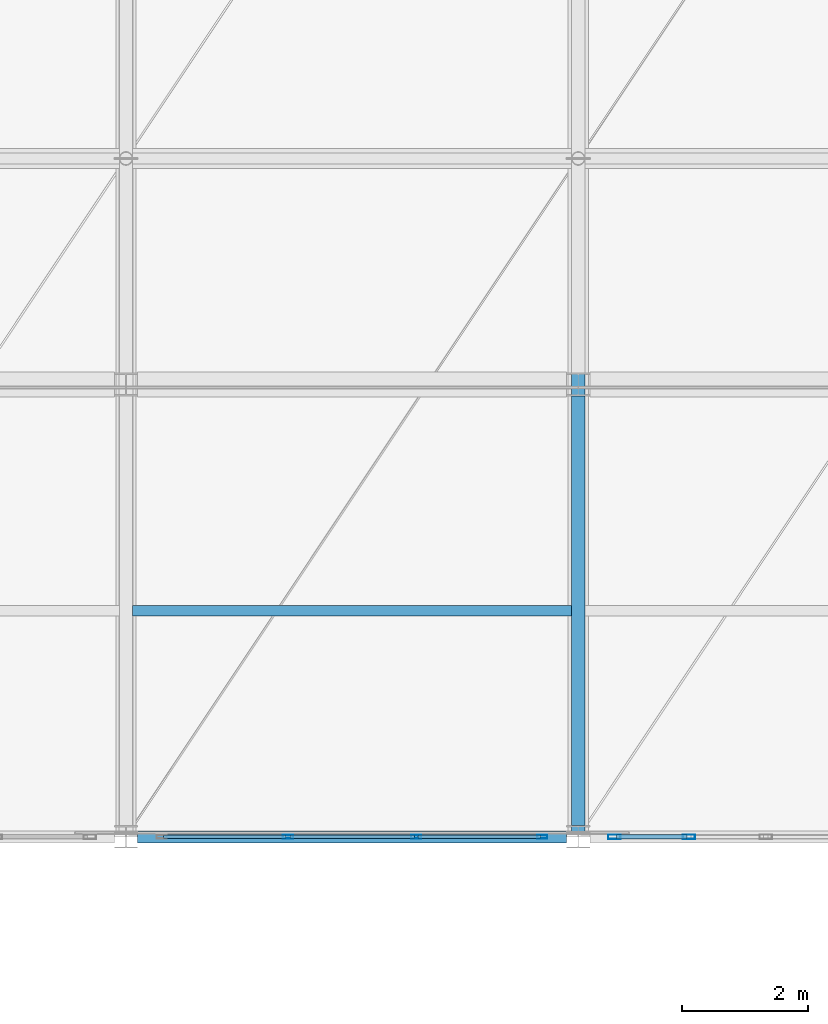
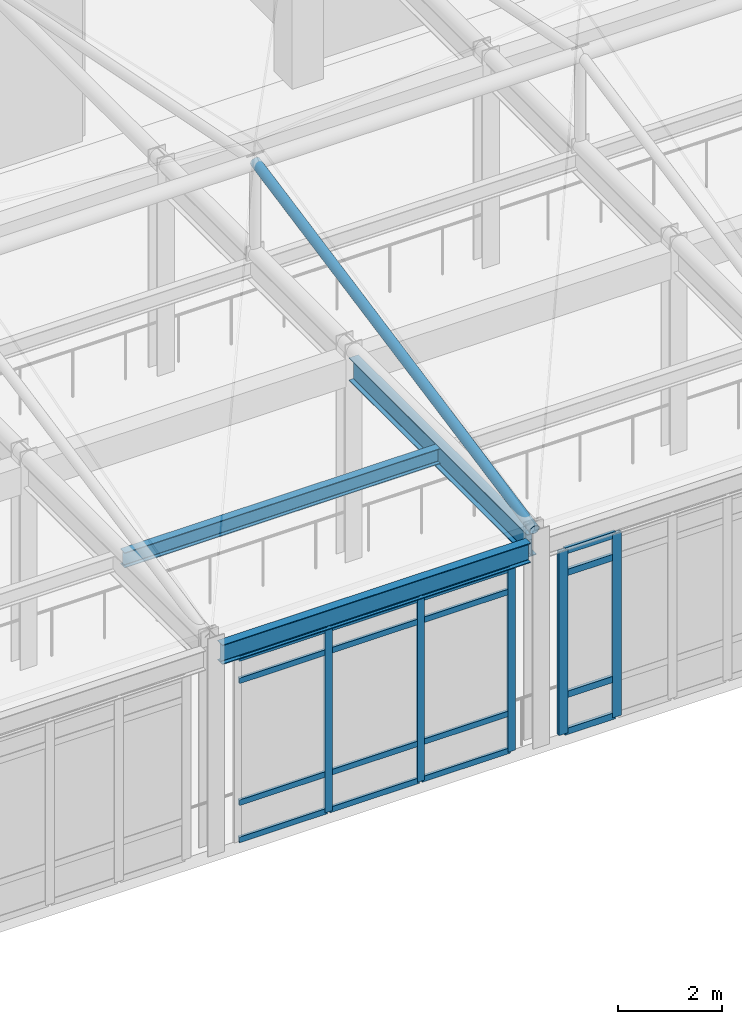
# One storey, part 39 of 117: 22 members, 3 beams, 2 elements without a shape of their own.
"""IFC4 building model written with IfcOpenShell, lengths in metres."""

from ifc_helpers import new_model, si_unit, direction, frame, origin, origin_2d, place, context, subcontext, project, spatial, hollow_rectangle, hollow_circle, i_section, extrude, material, layer, layer_set, material_profile, profile_set, type_object, element, aggregate, save


model = new_model("IFC4")

# Units and contexts
model_context = context("Model", 3, precision=1e-05, world=origin(), true_north=direction((0.0, 1.0)))
body_context = subcontext(model_context, "Body", "Model", "MODEL_VIEW")
ifc_project = project(units=[si_unit("LENGTHUNIT", "METRE"), si_unit("AREAUNIT", "SQUARE_METRE"), si_unit("VOLUMEUNIT", "CUBIC_METRE"), si_unit("PLANEANGLEUNIT", "RADIAN"), si_unit("MASSUNIT", "GRAM", prefix="KILO")], contexts=[model_context])

# Site, building, storey
site_placement = place(None, origin())
site = spatial("IfcSite", under=ifc_project, at=site_placement, CompositionType="ELEMENT")
building_placement = place(site_placement, origin())
building = spatial("IfcBuilding", under=site, at=building_placement, Name="Carrowvane Square Congress Hotel", CompositionType="ELEMENT")
storey_placement = place(building_placement, frame((0.0, 0.0, 5.39990234375)))
storey = spatial("IfcBuildingStorey", under=building, at=storey_placement, Name="L01", CompositionType="ELEMENT", Elevation=5.39990234375)

# Beams
ifc_material_1 = material(Name="Steel S355", Category="steel")
ifc_material_profile_1 = material_profile(ifc_material_1, i_section(OverallWidth=0.172119140625, OverallDepth=0.35791015625, WebThickness=0.008056640625, FlangeThickness=0.012939453125, FilletRadius=0.01025390625, at=origin_2d()), Name="UKB 356x171x57")
ifc_profile_set_1 = profile_set([ifc_material_profile_1], Name="Steel S355")
beam_type_1 = type_object("IfcBeamType", Name="BM-ST-UKB356", PredefinedType="JOIST", material=ifc_profile_set_1)
beam_1_placement = place(storey_placement, frame((98.10498046875, 73.800048828125, 4.60107421875), z_axis=(1.0, 0.0, 0.0), x_axis=(0.0, 1.0, 0.0)))
element("IfcBeam", 1, at=beam_1_placement, inside=storey, type_object=beam_type_1, Name="L02 secondary joist 13-14", PredefinedType="JOIST", context=body_context, shape_type="SweptSolid", body=[
    extrude(i_section(OverallWidth=0.172119140625, OverallDepth=0.35791015625, WebThickness=0.008056640625, FlangeThickness=0.012939453125, FilletRadius=0.01025390625, at=origin_2d()), origin(), (0.0, 0.0, 1.0), 6.989990234375),
])
ifc_material_2 = material(Name="Steel S355", Category="steel")
ifc_material_profile_2 = material_profile(ifc_material_2, i_section(OverallWidth=0.19140625, OverallDepth=0.4599609375, WebThickness=0.010009765625, FlangeThickness=0.01611328125, FilletRadius=0.01025390625, at=origin_2d()), Name="UKB 457x191x82")
ifc_profile_set_2 = profile_set([ifc_material_profile_2], Name="Steel S355")
beam_type_2 = type_object("IfcBeamType", Name="BM-ST-UKB457", PredefinedType="SPANDREL", material=ifc_profile_set_2)
beam_2_placement = place(storey_placement, frame((98.185302734375, 70.199951171875, 4.550048828125), z_axis=(1.0, 0.0, 0.0), x_axis=(0.0, 1.0, 0.0)))
element("IfcBeam", 2, at=beam_2_placement, inside=storey, type_object=beam_type_2, Name="L02 girder K/13-14", PredefinedType="SPANDREL", context=body_context, shape_type="SweptSolid", body=[
    extrude(i_section(OverallWidth=0.19140625, OverallDepth=0.4599609375, WebThickness=0.010009765625, FlangeThickness=0.01611328125, FilletRadius=0.01025390625, at=origin_2d()), origin(), (0.0, 0.0, 1.0), 6.829345703125),
])
ifc_material_3 = material(Name="Steel S355", Category="steel")
ifc_material_profile_3 = material_profile(ifc_material_3, i_section(OverallWidth=0.2099609375, OverallDepth=0.53662109375, WebThickness=0.0107421875, FlangeThickness=0.017333984375, FilletRadius=0.0126953125, at=origin_2d()), Name="UKB 533x210x101")
ifc_profile_set_3 = profile_set([ifc_material_profile_3], Name="Steel S355")
beam_type_3 = type_object("IfcBeamType", Name="BM-ST-UKB533", PredefinedType="USERDEFINED", material=ifc_profile_set_3)
beam_3_placement = place(storey_placement, frame((105.199951171875, 70.381103515625, 4.51171875), z_axis=(0.0, 1.0, 0.0), x_axis=(-1.0, 0.0, 0.0)))
element("IfcBeam", 3, at=beam_3_placement, inside=storey, type_object=beam_type_3, Name="L02 girder 14/K-L", ObjectType="GIRDER", PredefinedType="USERDEFINED", context=body_context, shape_type="SweptSolid", body=[
    extrude(i_section(OverallWidth=0.2099609375, OverallDepth=0.53662109375, WebThickness=0.0107421875, FlangeThickness=0.017333984375, FilletRadius=0.0126953125, at=origin_2d()), origin(), (0.0, 0.0, 1.0), 6.837890625),
])

# Curtain wall, members
ifc_material_4 = material(Name="Anodised aluminium", Category="aluminium")
ifc_layer_1 = layer(ifc_material_4, 0.162109375)
ifc_layer_set_1 = layer_set([ifc_layer_1], Name="Anodised aluminium")
curtain_wall_type_1 = type_object("IfcCurtainWallType", Name="CW-SYS-1", PredefinedType="NOTDEFINED", material=ifc_layer_set_1)
curtain_wall_1_placement = place(storey_placement, origin())
curtain_wall_1 = element("IfcCurtainWall", 4, at=curtain_wall_1_placement, inside=storey, type_object=curtain_wall_type_1, Name="L01 unitised curtain wall 120", PredefinedType="NOTDEFINED")
ifc_material_5 = material(Name="Anodised aluminium", Category="aluminium")
ifc_material_profile_4 = material_profile(ifc_material_5, hollow_rectangle(XDim=0.06005859375, YDim=0.159912109375, WallThickness=0.00390625, at=origin_2d()), Name="CW-ML 60x160x4")
ifc_profile_set_4 = profile_set([ifc_material_profile_4], Name="Anodised aluminium")
member_type_1 = type_object("IfcMemberType", Name="CW-MUL-1", PredefinedType="MULLION", material=ifc_profile_set_4)
member_1_placement = place(storey_placement, frame((104.6298828125, 70.199951171875, 0.0), z_axis=(0.0, 0.0, 1.0), x_axis=(0.0, -1.0, 0.0)))
member_1 = element("IfcMember", 5, at=member_1_placement, type_object=member_type_1, Name="CW-1 mullion 1", PredefinedType="MULLION", context=body_context, shape_type="SweptSolid", body=[
    extrude(hollow_rectangle(XDim=0.06005859375, YDim=0.159912109375, WallThickness=0.00390625, at=origin_2d()), origin(), (0.0, 0.0, 1.0), 4.30517578125),
])
member_2_placement = place(storey_placement, frame((102.6201171875, 70.199951171875, 0.0), z_axis=(0.0, 0.0, 1.0), x_axis=(0.0, -1.0, 0.0)))
member_2 = element("IfcMember", 6, at=member_2_placement, type_object=member_type_1, Name="CW-1 mullion 2", PredefinedType="MULLION", context=body_context, shape_type="SweptSolid", body=[
    extrude(hollow_rectangle(XDim=0.06005859375, YDim=0.159912109375, WallThickness=0.00390625, at=origin_2d()), origin(), (0.0, 0.0, 1.0), 4.30517578125),
])
member_3_placement = place(storey_placement, frame((100.580078125, 70.199951171875, 0.0), z_axis=(0.0, 0.0, 1.0), x_axis=(0.0, -1.0, 0.0)))
member_3 = element("IfcMember", 7, at=member_3_placement, type_object=member_type_1, Name="CW-1 mullion 3", PredefinedType="MULLION", context=body_context, shape_type="SweptSolid", body=[
    extrude(hollow_rectangle(XDim=0.06005859375, YDim=0.159912109375, WallThickness=0.00390625, at=origin_2d()), origin(), (0.0, 0.0, 1.0), 4.30517578125),
])

ifc_material_6 = material(Name="Anodised aluminium", Category="aluminium")
ifc_layer_2 = layer(ifc_material_6, 0.24609375)
ifc_layer_set_2 = layer_set([ifc_layer_2], Name="Anodised aluminium")
curtain_wall_type_2 = type_object("IfcCurtainWallType", Name="CW-SYS-8", PredefinedType="NOTDEFINED", material=ifc_layer_set_2)
curtain_wall_2_placement = place(storey_placement, origin())
curtain_wall_2 = element("IfcCurtainWall", 8, at=curtain_wall_2_placement, inside=storey, type_object=curtain_wall_type_2, Name="L01 unitised curtain wall 119", PredefinedType="NOTDEFINED")
ifc_material_7 = material(Name="Anodised aluminium", Category="aluminium")
ifc_material_profile_5 = material_profile(ifc_material_7, hollow_rectangle(XDim=0.070068359375, YDim=0.199951171875, WallThickness=0.0048828125, at=origin_2d()), Name="CW-ML 70x200x5")
ifc_profile_set_5 = profile_set([ifc_material_profile_5], Name="Anodised aluminium")
member_type_2 = type_object("IfcMemberType", Name="CW-MUL-2", PredefinedType="MULLION", material=ifc_profile_set_5)
member_4_placement = place(storey_placement, frame((106.964111328125, 70.199951171875, 0.0), z_axis=(0.0, 0.0, 1.0), x_axis=(0.0, -1.0, 0.0)))
member_4 = element("IfcMember", 9, at=member_4_placement, type_object=member_type_2, Name="CW-8 mullion 5", PredefinedType="MULLION", context=body_context, shape_type="SweptSolid", body=[
    extrude(hollow_rectangle(XDim=0.070068359375, YDim=0.199951171875, WallThickness=0.0048828125, at=origin_2d()), origin(), (0.0, 0.0, 1.0), 4.30517578125),
])
member_5_placement = place(storey_placement, frame((105.77490234375, 70.199951171875, 0.0), z_axis=(0.0, 0.0, 1.0), x_axis=(0.0, -1.0, 0.0)))
member_5 = element("IfcMember", 10, at=member_5_placement, type_object=member_type_2, Name="CW-8 mullion 6", PredefinedType="MULLION", context=body_context, shape_type="SweptSolid", body=[
    extrude(hollow_rectangle(XDim=0.070068359375, YDim=0.199951171875, WallThickness=0.0048828125, at=origin_2d()), origin(), (0.0, 0.0, 1.0), 4.30517578125),
])

# Member
ifc_material_8 = material(Name="Anodised aluminium", Category="aluminium")
ifc_material_profile_6 = material_profile(ifc_material_8, hollow_rectangle(XDim=0.06005859375, YDim=0.1298828125, WallThickness=0.00390625, at=origin_2d()), Name="CW-TR 60x130x4")
ifc_profile_set_6 = profile_set([ifc_material_profile_6], Name="Anodised aluminium")
member_type_3 = type_object("IfcMemberType", Name="CW-TRN-1", PredefinedType="USERDEFINED", material=ifc_profile_set_6)
member_6_placement = place(storey_placement, frame((104.60009765625, 70.199951171875, 0.030029296875), z_axis=(-1.0, 0.0, 0.0), x_axis=(0.0, -1.0, 0.0)))
member_6 = element("IfcMember", 11, at=member_6_placement, type_object=member_type_3, Name="CW-1 transom 1.1", ObjectType="TRANSOM", PredefinedType="USERDEFINED", context=body_context, shape_type="SweptSolid", body=[
    extrude(hollow_rectangle(XDim=0.06005859375, YDim=0.1298828125, WallThickness=0.00390625, at=origin_2d()), origin(), (0.0, 0.0, 1.0), 1.9501953125),
])

member_7_placement = place(storey_placement, frame((104.60009765625, 70.199951171875, 0.900146484375), z_axis=(-1.0, 0.0, 0.0), x_axis=(0.0, -1.0, 0.0)))
member_7 = element("IfcMember", 12, at=member_7_placement, type_object=member_type_3, Name="CW-1 transom 1.2", ObjectType="TRANSOM", PredefinedType="USERDEFINED", context=body_context, shape_type="SweptSolid", body=[
    extrude(hollow_rectangle(XDim=0.06005859375, YDim=0.1298828125, WallThickness=0.00390625, at=origin_2d()), origin(), (0.0, 0.0, 1.0), 1.9501953125),
])

member_8_placement = place(storey_placement, frame((104.60009765625, 70.199951171875, 3.755126953125), z_axis=(-1.0, 0.0, 0.0), x_axis=(0.0, -1.0, 0.0)))
member_8 = element("IfcMember", 13, at=member_8_placement, type_object=member_type_3, Name="CW-1 transom 1.3", ObjectType="TRANSOM", PredefinedType="USERDEFINED", context=body_context, shape_type="SweptSolid", body=[
    extrude(hollow_rectangle(XDim=0.06005859375, YDim=0.1298828125, WallThickness=0.00390625, at=origin_2d()), origin(), (0.0, 0.0, 1.0), 1.9501953125),
])

member_9_placement = place(storey_placement, frame((104.60009765625, 70.199951171875, 4.275146484375), z_axis=(-1.0, 0.0, 0.0), x_axis=(0.0, -1.0, 0.0)))
member_9 = element("IfcMember", 14, at=member_9_placement, type_object=member_type_3, Name="CW-1 transom 1.4", ObjectType="TRANSOM", PredefinedType="USERDEFINED", context=body_context, shape_type="SweptSolid", body=[
    extrude(hollow_rectangle(XDim=0.06005859375, YDim=0.1298828125, WallThickness=0.00390625, at=origin_2d()), origin(), (0.0, 0.0, 1.0), 1.9501953125),
])

member_10_placement = place(storey_placement, frame((102.590087890625, 70.199951171875, 0.030029296875), z_axis=(-1.0, 0.0, 0.0), x_axis=(0.0, -1.0, 0.0)))
member_10 = element("IfcMember", 15, at=member_10_placement, type_object=member_type_3, Name="CW-1 transom 2.1", ObjectType="TRANSOM", PredefinedType="USERDEFINED", context=body_context, shape_type="SweptSolid", body=[
    extrude(hollow_rectangle(XDim=0.06005859375, YDim=0.1298828125, WallThickness=0.00390625, at=origin_2d()), origin(), (0.0, 0.0, 1.0), 1.97998046875),
])

member_11_placement = place(storey_placement, frame((102.590087890625, 70.199951171875, 0.900146484375), z_axis=(-1.0, 0.0, 0.0), x_axis=(0.0, -1.0, 0.0)))
member_11 = element("IfcMember", 16, at=member_11_placement, type_object=member_type_3, Name="CW-1 transom 2.2", ObjectType="TRANSOM", PredefinedType="USERDEFINED", context=body_context, shape_type="SweptSolid", body=[
    extrude(hollow_rectangle(XDim=0.06005859375, YDim=0.1298828125, WallThickness=0.00390625, at=origin_2d()), origin(), (0.0, 0.0, 1.0), 1.97998046875),
])

member_12_placement = place(storey_placement, frame((102.590087890625, 70.199951171875, 3.755126953125), z_axis=(-1.0, 0.0, 0.0), x_axis=(0.0, -1.0, 0.0)))
member_12 = element("IfcMember", 17, at=member_12_placement, type_object=member_type_3, Name="CW-1 transom 2.3", ObjectType="TRANSOM", PredefinedType="USERDEFINED", context=body_context, shape_type="SweptSolid", body=[
    extrude(hollow_rectangle(XDim=0.06005859375, YDim=0.1298828125, WallThickness=0.00390625, at=origin_2d()), origin(), (0.0, 0.0, 1.0), 1.97998046875),
])

member_13_placement = place(storey_placement, frame((102.590087890625, 70.199951171875, 4.275146484375), z_axis=(-1.0, 0.0, 0.0), x_axis=(0.0, -1.0, 0.0)))
member_13 = element("IfcMember", 18, at=member_13_placement, type_object=member_type_3, Name="CW-1 transom 2.4", ObjectType="TRANSOM", PredefinedType="USERDEFINED", context=body_context, shape_type="SweptSolid", body=[
    extrude(hollow_rectangle(XDim=0.06005859375, YDim=0.1298828125, WallThickness=0.00390625, at=origin_2d()), origin(), (0.0, 0.0, 1.0), 1.97998046875),
])

member_14_placement = place(storey_placement, frame((100.550048828125, 70.199951171875, 0.030029296875), z_axis=(-1.0, 0.0, 0.0), x_axis=(0.0, -1.0, 0.0)))
member_14 = element("IfcMember", 19, at=member_14_placement, type_object=member_type_3, Name="CW-1 transom 3.1", ObjectType="TRANSOM", PredefinedType="USERDEFINED", context=body_context, shape_type="SweptSolid", body=[
    extrude(hollow_rectangle(XDim=0.06005859375, YDim=0.1298828125, WallThickness=0.00390625, at=origin_2d()), origin(), (0.0, 0.0, 1.0), 1.949951171875),
])

member_15_placement = place(storey_placement, frame((100.550048828125, 70.199951171875, 0.900146484375), z_axis=(-1.0, 0.0, 0.0), x_axis=(0.0, -1.0, 0.0)))
member_15 = element("IfcMember", 20, at=member_15_placement, type_object=member_type_3, Name="CW-1 transom 3.2", ObjectType="TRANSOM", PredefinedType="USERDEFINED", context=body_context, shape_type="SweptSolid", body=[
    extrude(hollow_rectangle(XDim=0.06005859375, YDim=0.1298828125, WallThickness=0.00390625, at=origin_2d()), origin(), (0.0, 0.0, 1.0), 1.949951171875),
])

member_16_placement = place(storey_placement, frame((100.550048828125, 70.199951171875, 3.755126953125), z_axis=(-1.0, 0.0, 0.0), x_axis=(0.0, -1.0, 0.0)))
member_16 = element("IfcMember", 21, at=member_16_placement, type_object=member_type_3, Name="CW-1 transom 3.3", ObjectType="TRANSOM", PredefinedType="USERDEFINED", context=body_context, shape_type="SweptSolid", body=[
    extrude(hollow_rectangle(XDim=0.06005859375, YDim=0.1298828125, WallThickness=0.00390625, at=origin_2d()), origin(), (0.0, 0.0, 1.0), 1.949951171875),
])

member_17_placement = place(storey_placement, frame((100.550048828125, 70.199951171875, 4.275146484375), z_axis=(-1.0, 0.0, 0.0), x_axis=(0.0, -1.0, 0.0)))
member_17 = element("IfcMember", 22, at=member_17_placement, type_object=member_type_3, Name="CW-1 transom 3.4", ObjectType="TRANSOM", PredefinedType="USERDEFINED", context=body_context, shape_type="SweptSolid", body=[
    extrude(hollow_rectangle(XDim=0.06005859375, YDim=0.1298828125, WallThickness=0.00390625, at=origin_2d()), origin(), (0.0, 0.0, 1.0), 1.949951171875),
])

aggregate(curtain_wall_1, [member_1, member_2, member_3, member_6, member_7, member_8, member_9, member_10, member_11, member_12, member_13, member_14, member_15, member_16, member_17])

ifc_material_9 = material(Name="Anodised aluminium", Category="aluminium")
ifc_material_profile_7 = material_profile(ifc_material_9, hollow_rectangle(XDim=0.070068359375, YDim=0.14990234375, WallThickness=0.0048828125, at=origin_2d()), Name="CW-TR 70x150x5")
ifc_profile_set_7 = profile_set([ifc_material_profile_7], Name="Anodised aluminium")
member_type_4 = type_object("IfcMemberType", Name="CW-TRN-2", PredefinedType="USERDEFINED", material=ifc_profile_set_7)
member_18_placement = place(storey_placement, frame((106.928955078125, 70.199951171875, 0.03515625), z_axis=(-1.0, 0.0, 0.0), x_axis=(0.0, -1.0, 0.0)))
member_18 = element("IfcMember", 23, at=member_18_placement, type_object=member_type_4, Name="CW-8 transom 5.1", ObjectType="TRANSOM", PredefinedType="USERDEFINED", context=body_context, shape_type="SweptSolid", body=[
    extrude(hollow_rectangle(XDim=0.070068359375, YDim=0.14990234375, WallThickness=0.0048828125, at=origin_2d()), origin(), (0.0, 0.0, 1.0), 1.118896484375),
])

member_19_placement = place(storey_placement, frame((106.928955078125, 70.199951171875, 0.900146484375), z_axis=(-1.0, 0.0, 0.0), x_axis=(0.0, -1.0, 0.0)))
member_19 = element("IfcMember", 24, at=member_19_placement, type_object=member_type_4, Name="CW-8 transom 5.2", ObjectType="TRANSOM", PredefinedType="USERDEFINED", context=body_context, shape_type="SweptSolid", body=[
    extrude(hollow_rectangle(XDim=0.070068359375, YDim=0.14990234375, WallThickness=0.0048828125, at=origin_2d()), origin(), (0.0, 0.0, 1.0), 1.118896484375),
])

member_20_placement = place(storey_placement, frame((106.928955078125, 70.199951171875, 3.755126953125), z_axis=(-1.0, 0.0, 0.0), x_axis=(0.0, -1.0, 0.0)))
member_20 = element("IfcMember", 25, at=member_20_placement, type_object=member_type_4, Name="CW-8 transom 5.3", ObjectType="TRANSOM", PredefinedType="USERDEFINED", context=body_context, shape_type="SweptSolid", body=[
    extrude(hollow_rectangle(XDim=0.070068359375, YDim=0.14990234375, WallThickness=0.0048828125, at=origin_2d()), origin(), (0.0, 0.0, 1.0), 1.118896484375),
])

member_21_placement = place(storey_placement, frame((106.928955078125, 70.199951171875, 4.27001953125), z_axis=(-1.0, 0.0, 0.0), x_axis=(0.0, -1.0, 0.0)))
member_21 = element("IfcMember", 26, at=member_21_placement, type_object=member_type_4, Name="CW-8 transom 5.4", ObjectType="TRANSOM", PredefinedType="USERDEFINED", context=body_context, shape_type="SweptSolid", body=[
    extrude(hollow_rectangle(XDim=0.070068359375, YDim=0.14990234375, WallThickness=0.0048828125, at=origin_2d()), origin(), (0.0, 0.0, 1.0), 1.118896484375),
])

aggregate(curtain_wall_2, [member_4, member_5, member_18, member_19, member_20, member_21])

ifc_material_10 = material(Name="Steel S355", Category="steel")
ifc_material_profile_8 = material_profile(ifc_material_10, hollow_circle(Radius=0.109619140625, WallThickness=0.012451171875, at=origin_2d()), Name="CHS 219.1x12.5")
ifc_profile_set_8 = profile_set([ifc_material_profile_8], Name="Steel S355")
member_type_5 = type_object("IfcMemberType", Name="MEM-ST-CHS219", PredefinedType="STRUT", material=ifc_profile_set_8)
member_22_placement = place(storey_placement, frame((105.199951171875, 70.280029296875, 4.920166015625), z_axis=(0.0, 0.980904965039, 0.19448765915), x_axis=(-1.0, 0.0, 0.0)))
element("IfcMember", 27, at=member_22_placement, inside=storey, type_object=member_type_5, Name="Public passage canopy strut S-5", PredefinedType="STRUT", context=body_context, shape_type="SweptSolid", body=[
    extrude(hollow_circle(Radius=0.109619140625, WallThickness=0.012451171875, at=origin_2d()), origin(), (0.0, 0.0, 1.0), 10.9287109375),
])

save(model, "model.ifc")
